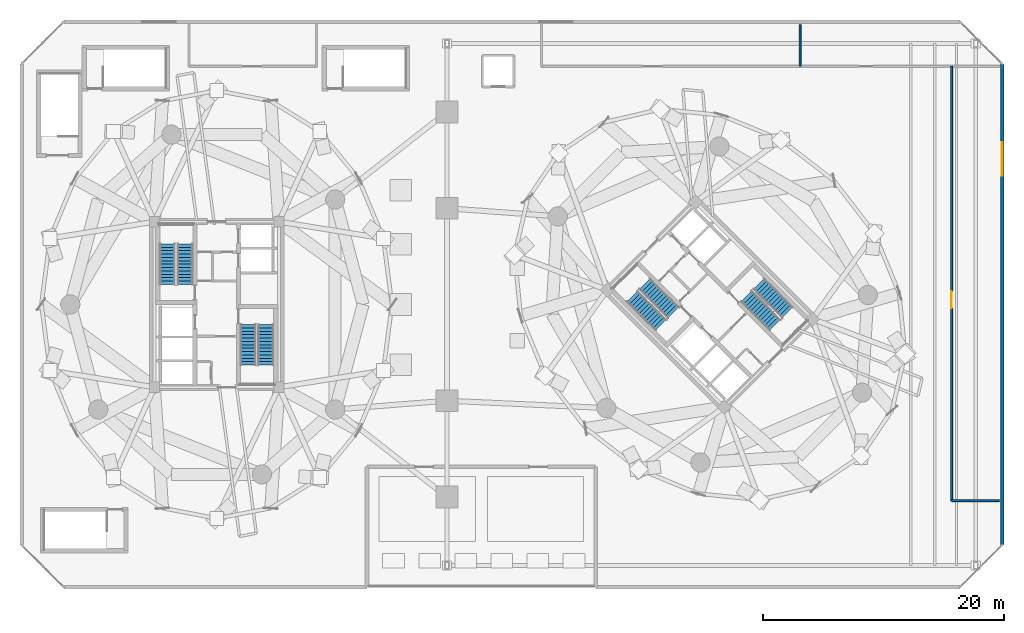
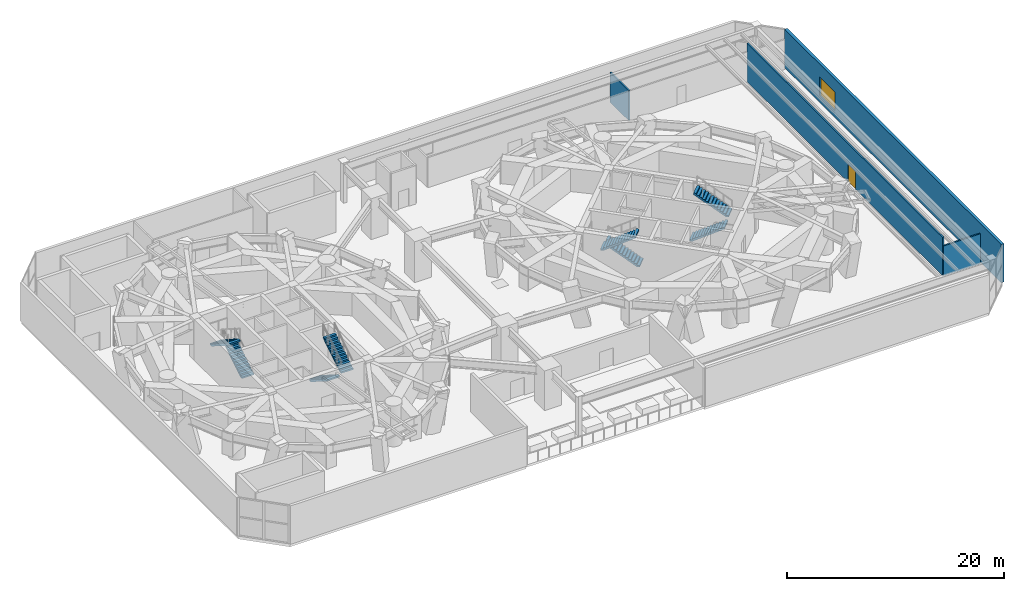
# One storey, part 20 of 25: 8 stair flights, 4 walls, 1 door, 1 window, 2 openings, 4 elements without a shape of their own.
"""IFC4 building model written with IfcOpenShell, lengths in metres."""

from ifc_helpers import new_model, si_unit, direction, frame, frame_2d, origin, place, context, subcontext, project, spatial, polyline, rectangle, outline, extrude, source, transform, mapped, material, layer, layer_set, type_object, element, fill, aggregate, save


model = new_model("IFC4")

# Units and contexts
model_context = context("Model", 3, precision=1e-05, world=origin(), true_north=direction((0.0, 1.0)))
body_context = subcontext(model_context, "Body", "Model", "MODEL_VIEW")
ifc_project = project(units=[si_unit("LENGTHUNIT", "METRE"), si_unit("AREAUNIT", "SQUARE_METRE"), si_unit("VOLUMEUNIT", "CUBIC_METRE"), si_unit("PLANEANGLEUNIT", "RADIAN"), si_unit("MASSUNIT", "GRAM", prefix="KILO")], contexts=[model_context])

# Site, building, storey
site_placement = place(None, origin())
site = spatial("IfcSite", under=ifc_project, at=site_placement, CompositionType="ELEMENT")
building_placement = place(site_placement, origin())
building = spatial("IfcBuilding", under=site, at=building_placement, Name="Cununo Teusaquillo Station Towers", CompositionType="ELEMENT")
storey_placement = place(building_placement, frame((0.0, 0.0, 17.39990234375)))
storey = spatial("IfcBuildingStorey", under=building, at=storey_placement, Name="L04", CompositionType="ELEMENT", Elevation=17.39990234375)

# Wall, opening, window
ifc_material_1 = material(Name="Precast concrete C40/50", Category="concrete")
ifc_layer_1 = layer(ifc_material_1, 0.300048828125)
ifc_layer_set_1 = layer_set([ifc_layer_1], Name="Precast concrete C40/50")
wall_type_1 = type_object("IfcWallType", Name="WL-EXT-300", PredefinedType="SOLIDWALL", material=ifc_layer_set_1)
wall_1_placement = place(storey_placement, frame((81.800048828125, 44.5, 0.0), z_axis=(0.0, 0.0, 1.0), x_axis=(0.0, -1.0, 0.0)))
wall_1 = element("IfcWall", 1, at=wall_1_placement, inside=storey, type_object=wall_type_1, Name="L04 Station Podium Facade Wall 5", PredefinedType="SOLIDWALL", context=body_context, shape_type="SweptSolid", body=[
    extrude(rectangle(XDim=40.0, YDim=0.300048828125, at=frame_2d((20.0, 0.0))), origin(), (0.0, 0.0, 1.0), 4.3251953125),
])
shared_shape_1 = source(origin(), body_context, "Body", "SweptSolid", [
    extrude(rectangle(XDim=2.800048828125, YDim=2.10009765625, at=frame_2d((1.39990234375, 1.050048828125))), frame((0.0, 0.159912109375, 0.0), z_axis=(0.0, -1.0, 0.0), x_axis=(1.0, 0.0, 0.0)), (0.0, 0.0, 1.0), 0.320068359375),
])
opening_1_placement = place(wall_1_placement, frame((6.5, 0.0, 0.800048828125)))
opening_1 = element("IfcOpeningElement", 2, at=opening_1_placement, cuts=wall_1, Name="Opening WN-05", PredefinedType="OPENING", context=body_context, shape_type="MappedRepresentation", body=[
    mapped(shared_shape_1, transform((0.0, 0.0, 0.0), x_axis=(1.0, 0.0, 0.0), y_axis=(0.0, 1.0, 0.0), z_axis=(0.0, 0.0, 1.0), scale=1.0)),
])
ifc_material_2 = material(Name="Laminated acoustic clear low-E glazing", Category="glass")
window_type = type_object("IfcWindowType", Name="WIN-POD-2800", PartitioningType="TRIPLE_PANEL_VERTICAL", PredefinedType="WINDOW", material=ifc_material_2)
shared_shape_2 = source(origin(), body_context, "Body", "SweptSolid", [
    extrude(rectangle(XDim=2.800048828125, YDim=2.10009765625, at=frame_2d((1.39990234375, 1.050048828125))), frame((0.0, 0.030029296875, 0.0), z_axis=(0.0, -1.0, 0.0), x_axis=(1.0, 0.0, 0.0)), (0.0, 0.0, 1.0), 0.06005859375),
])
window_placement = place(opening_1_placement, origin())
window = element("IfcWindow", 3, at=window_placement, inside=storey, type_object=window_type, Name="L04 Podium Ribbon Window 5.1", OverallHeight=2.10009765625, OverallWidth=2.800048828125, PartitioningType="TRIPLE_PANEL_VERTICAL", PredefinedType="WINDOW", context=body_context, shape_type="MappedRepresentation", body=[
    mapped(shared_shape_2, transform((0.0, 0.0, 0.0), x_axis=(1.0, 0.0, 0.0), y_axis=(0.0, 1.0, 0.0), z_axis=(0.0, 0.0, 1.0), scale=1.0)),
])
fill(opening_1, window)

# Wall, opening, door
ifc_material_3 = material(Name="Fire-rated gypsum plasterboard partition assembly", Category="gypsum")
ifc_layer_2 = layer(ifc_material_3, 0.159912109375)
ifc_layer_set_2 = layer_set([ifc_layer_2], Name="Fire-rated gypsum plasterboard partition assembly")
wall_type_2 = type_object("IfcWallType", Name="WL-PART-160", PredefinedType="PARTITIONING", material=ifc_layer_set_2)
wall_2_placement = place(storey_placement, frame((77.60009765625, 8.199951171875, 0.0), z_axis=(0.0, 0.0, 1.0), x_axis=(0.0, 1.0, 0.0)))
wall_2 = element("IfcWall", 4, at=wall_2_placement, inside=storey, type_object=wall_type_2, Name="L04 Transfer Mechanical AHU Hall West Wall", PredefinedType="PARTITIONING", context=body_context, shape_type="SweptSolid", body=[
    extrude(rectangle(XDim=36.10009765625, YDim=0.159912109375, at=frame_2d((18.050048828125, 0.0))), origin(), (0.0, 0.0, 1.0), 4.3251953125),
])
shared_shape_3 = source(origin(), body_context, "Body", "SweptSolid", [
    extrude(rectangle(XDim=1.39990234375, YDim=2.02001953125, at=frame_2d((0.699951171875, 1.010009765625))), frame((0.0, 0.08984375, 0.0), z_axis=(0.0, -1.0, 0.0), x_axis=(1.0, 0.0, 0.0)), (0.0, 0.0, 1.0), 0.179931640625),
])
opening_2_placement = place(wall_2_placement, frame((16.0, 0.0, 0.0)))
opening_2 = element("IfcOpeningElement", 5, at=opening_2_placement, cuts=wall_2, Name="Opening D-PL1", PredefinedType="OPENING", context=body_context, shape_type="MappedRepresentation", body=[
    mapped(shared_shape_3, transform((0.0, 0.0, 0.0), x_axis=(1.0, 0.0, 0.0), y_axis=(0.0, 1.0, 0.0), z_axis=(0.0, 0.0, 1.0), scale=1.0)),
])
ifc_material_4 = material(Name="Galvanised fire-rated hollow steel door assembly", Category="steel")
door_type = type_object("IfcDoorType", Name="DR-PLANT-1400", OperationType="NOTDEFINED", PredefinedType="DOOR", material=ifc_material_4)
shared_shape_4 = source(origin(), body_context, "Body", "SweptSolid", [
    extrude(rectangle(XDim=1.39990234375, YDim=2.02001953125, at=frame_2d((0.699951171875, 1.010009765625))), frame((0.0, 0.02490234375, 0.0), z_axis=(0.0, -1.0, 0.0), x_axis=(1.0, 0.0, 0.0)), (0.0, 0.0, 1.0), 0.050048828125),
])
door_placement = place(opening_2_placement, origin())
door = element("IfcDoor", 6, at=door_placement, inside=storey, type_object=door_type, Name="L04 Transfer Mechanical AHU Hall Door", OperationType="SINGLE_SWING_RIGHT", OverallHeight=2.02001953125, OverallWidth=1.39990234375, PredefinedType="DOOR", context=body_context, shape_type="MappedRepresentation", body=[
    mapped(shared_shape_4, transform((0.0, 0.0, 0.0), x_axis=(1.0, 0.0, 0.0), y_axis=(0.0, 1.0, 0.0), z_axis=(0.0, 0.0, 1.0), scale=1.0)),
])
fill(opening_2, door)

# Walls
wall_3_placement = place(storey_placement, frame((77.60009765625, 8.199951171875, 0.0), z_axis=(0.0, 0.0, 1.0), x_axis=(1.0, 0.0, 0.0)))
element("IfcWall", 7, at=wall_3_placement, inside=storey, type_object=wall_type_2, Name="L04 Transfer Mechanical AHU Hall South Wall", PredefinedType="PARTITIONING", context=body_context, shape_type="SweptSolid", body=[
    extrude(rectangle(XDim=3.949951171875, YDim=0.159912109375, at=frame_2d((1.97509765625, 0.0))), origin(), (0.0, 0.0, 1.0), 3.369140625),
])
wall_4_placement = place(storey_placement, frame((65.0, 44.300048828125, 0.0), z_axis=(0.0, 0.0, 1.0), x_axis=(0.0, 1.0, 0.0)))
element("IfcWall", 8, at=wall_4_placement, inside=storey, type_object=wall_type_2, Name="L04 Public Restroom Divider Wall", PredefinedType="PARTITIONING", context=body_context, shape_type="SweptSolid", body=[
    extrude(rectangle(XDim=3.449951171875, YDim=0.159912109375, at=frame_2d((1.72509765625, 0.0))), origin(), (0.0, 0.0, 1.0), 3.369140625),
])

# Stair, stair flights
ifc_material_5 = material(Name="Concrete C50/60", Category="concrete")
stair_type = type_object("IfcStairType", Name="ST-TWR-1300", PredefinedType="HALF_TURN_STAIR", material=ifc_material_5)
stair_1_placement = place(storey_placement, origin())
stair_1 = element("IfcStair", 9, at=stair_1_placement, inside=storey, type_object=stair_type, Name="L04 Tower A Protected Core Exit Stair 1", PredefinedType="HALF_TURN_STAIR")
ifc_material_6 = material(Name="Concrete C50/60", Category="concrete")
stair_flight_type = type_object("IfcStairFlightType", Name="SFL-TWR-1300", PredefinedType="STRAIGHT", material=ifc_material_6)
stair_flight_1_placement = place(storey_placement, frame((13.8701171875, 26.169921875, 0.0), z_axis=(0.0, 0.0, 1.0), x_axis=(0.0, 1.0, 0.0)))
stair_flight_1 = element("IfcStairFlight", 10, at=stair_flight_1_placement, type_object=stair_flight_type, Name="ST-T1-1 flight 1", NumberOfRisers=13, NumberOfTreads=12, PredefinedType="STRAIGHT", RiserHeight=0.176923077, TreadLength=0.28, context=body_context, shape_type="SweptSolid", body=[
    extrude(outline(polyline([(0.0, 0.0), (0.0, 0.177001953125), (0.280029296875, 0.177001953125), (0.280029296875, 0.353759765625), (0.56005859375, 0.353759765625), (0.56005859375, 0.53076171875), (0.840087890625, 0.53076171875), (0.840087890625, 0.707763671875), (1.1201171875, 0.707763671875), (1.1201171875, 0.884521484375), (1.39990234375, 0.884521484375), (1.39990234375, 1.0615234375), (1.679931640625, 1.0615234375), (1.679931640625, 1.238525390625), (1.9599609375, 1.238525390625), (1.9599609375, 1.415283203125), (2.239990234375, 1.415283203125), (2.239990234375, 1.59228515625), (2.52001953125, 1.59228515625), (2.52001953125, 1.769287109375), (2.800048828125, 1.769287109375), (2.800048828125, 1.946044921875), (3.080078125, 1.946044921875), (3.080078125, 2.123046875), (3.360107421875, 2.123046875), (3.360107421875, 2.300048828125), (3.360107421875, 1.94580078125), (0.280517578125, 0.0), (0.0, 0.0)])), frame((0.0, 0.64990234375, 0.0), z_axis=(0.0, -1.0, 0.0), x_axis=(1.0, 0.0, 0.0)), (0.0, 0.0, 1.0), 1.300048828125),
])
stair_flight_2_placement = place(storey_placement, frame((12.409912109375, 29.530029296875, 2.300048828125), z_axis=(0.0, 0.0, 1.0), x_axis=(0.0, -1.0, 0.0)))
stair_flight_2 = element("IfcStairFlight", 11, at=stair_flight_2_placement, type_object=stair_flight_type, Name="ST-T1-1 flight 2", NumberOfRisers=13, NumberOfTreads=12, PredefinedType="STRAIGHT", RiserHeight=0.176923077, TreadLength=0.28, context=body_context, shape_type="SweptSolid", body=[
    extrude(outline(polyline([(0.0, 0.0), (0.0, 0.177001953125), (0.280029296875, 0.177001953125), (0.280029296875, 0.353759765625), (0.56005859375, 0.353759765625), (0.56005859375, 0.53076171875), (0.840087890625, 0.53076171875), (0.840087890625, 0.707763671875), (1.1201171875, 0.707763671875), (1.1201171875, 0.884521484375), (1.39990234375, 0.884521484375), (1.39990234375, 1.0615234375), (1.679931640625, 1.0615234375), (1.679931640625, 1.238525390625), (1.9599609375, 1.238525390625), (1.9599609375, 1.415283203125), (2.239990234375, 1.415283203125), (2.239990234375, 1.59228515625), (2.52001953125, 1.59228515625), (2.52001953125, 1.769287109375), (2.800048828125, 1.769287109375), (2.800048828125, 1.946044921875), (3.080078125, 1.946044921875), (3.080078125, 2.123046875), (3.360107421875, 2.123046875), (3.360107421875, 2.300048828125), (3.360107421875, 1.94580078125), (0.280517578125, 0.0), (0.0, 0.0)])), frame((0.0, 0.64990234375, 0.0), z_axis=(0.0, -1.0, 0.0), x_axis=(1.0, 0.0, 0.0)), (0.0, 0.0, 1.0), 1.300048828125),
])
aggregate(stair_1, [stair_flight_1, stair_flight_2])

stair_2_placement = place(storey_placement, origin())
stair_2 = element("IfcStair", 12, at=stair_2_placement, inside=storey, type_object=stair_type, Name="L04 Tower A Protected Core Exit Stair 2", PredefinedType="HALF_TURN_STAIR")
stair_flight_3_placement = place(storey_placement, frame((19.1298828125, 22.830078125, 0.0), z_axis=(0.0, 0.0, 1.0), x_axis=(0.0, -1.0, 0.0)))
stair_flight_3 = element("IfcStairFlight", 13, at=stair_flight_3_placement, type_object=stair_flight_type, Name="ST-T1-2 flight 1", NumberOfRisers=13, NumberOfTreads=12, PredefinedType="STRAIGHT", RiserHeight=0.176923077, TreadLength=0.28, context=body_context, shape_type="SweptSolid", body=[
    extrude(outline(polyline([(0.0, 0.0), (0.0, 0.177001953125), (0.280029296875, 0.177001953125), (0.280029296875, 0.353759765625), (0.56005859375, 0.353759765625), (0.56005859375, 0.53076171875), (0.840087890625, 0.53076171875), (0.840087890625, 0.707763671875), (1.1201171875, 0.707763671875), (1.1201171875, 0.884521484375), (1.39990234375, 0.884521484375), (1.39990234375, 1.0615234375), (1.679931640625, 1.0615234375), (1.679931640625, 1.238525390625), (1.9599609375, 1.238525390625), (1.9599609375, 1.415283203125), (2.239990234375, 1.415283203125), (2.239990234375, 1.59228515625), (2.52001953125, 1.59228515625), (2.52001953125, 1.769287109375), (2.800048828125, 1.769287109375), (2.800048828125, 1.946044921875), (3.080078125, 1.946044921875), (3.080078125, 2.123046875), (3.360107421875, 2.123046875), (3.360107421875, 2.300048828125), (3.360107421875, 1.94580078125), (0.280517578125, 0.0), (0.0, 0.0)])), frame((0.0, 0.64990234375, 0.0), z_axis=(0.0, -1.0, 0.0), x_axis=(1.0, 0.0, 0.0)), (0.0, 0.0, 1.0), 1.300048828125),
])
stair_flight_4_placement = place(storey_placement, frame((20.590087890625, 19.469970703125, 2.300048828125), z_axis=(0.0, 0.0, 1.0), x_axis=(0.0, 1.0, 0.0)))
stair_flight_4 = element("IfcStairFlight", 14, at=stair_flight_4_placement, type_object=stair_flight_type, Name="ST-T1-2 flight 2", NumberOfRisers=13, NumberOfTreads=12, PredefinedType="STRAIGHT", RiserHeight=0.176923077, TreadLength=0.28, context=body_context, shape_type="SweptSolid", body=[
    extrude(outline(polyline([(0.0, 0.0), (0.0, 0.177001953125), (0.280029296875, 0.177001953125), (0.280029296875, 0.353759765625), (0.56005859375, 0.353759765625), (0.56005859375, 0.53076171875), (0.840087890625, 0.53076171875), (0.840087890625, 0.707763671875), (1.1201171875, 0.707763671875), (1.1201171875, 0.884521484375), (1.39990234375, 0.884521484375), (1.39990234375, 1.0615234375), (1.679931640625, 1.0615234375), (1.679931640625, 1.238525390625), (1.9599609375, 1.238525390625), (1.9599609375, 1.415283203125), (2.239990234375, 1.415283203125), (2.239990234375, 1.59228515625), (2.52001953125, 1.59228515625), (2.52001953125, 1.769287109375), (2.800048828125, 1.769287109375), (2.800048828125, 1.946044921875), (3.080078125, 1.946044921875), (3.080078125, 2.123046875), (3.360107421875, 2.123046875), (3.360107421875, 2.300048828125), (3.360107421875, 1.94580078125), (0.280517578125, 0.0), (0.0, 0.0)])), frame((0.0, 0.64990234375, 0.0), z_axis=(0.0, -1.0, 0.0), x_axis=(1.0, 0.0, 0.0)), (0.0, 0.0, 1.0), 1.300048828125),
])
aggregate(stair_2, [stair_flight_3, stair_flight_4])

stair_3_placement = place(storey_placement, origin())
stair_3 = element("IfcStair", 15, at=stair_3_placement, inside=storey, type_object=stair_type, Name="L04 Tower B Protected Core Exit Stair 1", PredefinedType="HALF_TURN_STAIR")
stair_flight_5_placement = place(storey_placement, frame((54.45947265625, 23.8212890625, 0.0), z_axis=(0.0, 0.0, 1.0), x_axis=(-0.707106781187, 0.707106781187, 0.0)))
stair_flight_5 = element("IfcStairFlight", 16, at=stair_flight_5_placement, type_object=stair_flight_type, Name="ST-T2-1 flight 1", NumberOfRisers=13, NumberOfTreads=12, PredefinedType="STRAIGHT", RiserHeight=0.176923077, TreadLength=0.28, context=body_context, shape_type="SweptSolid", body=[
    extrude(outline(polyline([(0.0, 0.0), (0.0, 0.177001953125), (0.280029296875, 0.177001953125), (0.280029296875, 0.353759765625), (0.56005859375, 0.353759765625), (0.56005859375, 0.53076171875), (0.840087890625, 0.53076171875), (0.840087890625, 0.707763671875), (1.1201171875, 0.707763671875), (1.1201171875, 0.884521484375), (1.39990234375, 0.884521484375), (1.39990234375, 1.0615234375), (1.679931640625, 1.0615234375), (1.679931640625, 1.238525390625), (1.9599609375, 1.238525390625), (1.9599609375, 1.415283203125), (2.239990234375, 1.415283203125), (2.239990234375, 1.59228515625), (2.52001953125, 1.59228515625), (2.52001953125, 1.769287109375), (2.800048828125, 1.769287109375), (2.800048828125, 1.946044921875), (3.080078125, 1.946044921875), (3.080078125, 2.123046875), (3.360107421875, 2.123046875), (3.360107421875, 2.300048828125), (3.360107421875, 1.94580078125), (0.280517578125, 0.0), (0.0, 0.0)])), frame((0.0, 0.64990234375, 0.0), z_axis=(0.0, -1.0, 0.0), x_axis=(1.0, 0.0, 0.0)), (0.0, 0.0, 1.0), 1.300048828125),
])
stair_flight_6_placement = place(storey_placement, frame((51.05126953125, 25.164794921875, 2.300048828125), z_axis=(0.0, 0.0, 1.0), x_axis=(0.707106781187, -0.707106781187, 0.0)))
stair_flight_6 = element("IfcStairFlight", 17, at=stair_flight_6_placement, type_object=stair_flight_type, Name="ST-T2-1 flight 2", NumberOfRisers=13, NumberOfTreads=12, PredefinedType="STRAIGHT", RiserHeight=0.176923077, TreadLength=0.28, context=body_context, shape_type="SweptSolid", body=[
    extrude(outline(polyline([(0.0, 0.0), (0.0, 0.177001953125), (0.280029296875, 0.177001953125), (0.280029296875, 0.353759765625), (0.56005859375, 0.353759765625), (0.56005859375, 0.53076171875), (0.840087890625, 0.53076171875), (0.840087890625, 0.707763671875), (1.1201171875, 0.707763671875), (1.1201171875, 0.884521484375), (1.39990234375, 0.884521484375), (1.39990234375, 1.0615234375), (1.679931640625, 1.0615234375), (1.679931640625, 1.238525390625), (1.9599609375, 1.238525390625), (1.9599609375, 1.415283203125), (2.239990234375, 1.415283203125), (2.239990234375, 1.59228515625), (2.52001953125, 1.59228515625), (2.52001953125, 1.769287109375), (2.800048828125, 1.769287109375), (2.800048828125, 1.946044921875), (3.080078125, 1.946044921875), (3.080078125, 2.123046875), (3.360107421875, 2.123046875), (3.360107421875, 2.300048828125), (3.360107421875, 1.94580078125), (0.280517578125, 0.0), (0.0, 0.0)])), frame((0.0, 0.64990234375, 0.0), z_axis=(0.0, -1.0, 0.0), x_axis=(1.0, 0.0, 0.0)), (0.0, 0.0, 1.0), 1.300048828125),
])
aggregate(stair_3, [stair_flight_5, stair_flight_6])

stair_4_placement = place(storey_placement, origin())
stair_4 = element("IfcStair", 18, at=stair_4_placement, inside=storey, type_object=stair_type, Name="L04 Tower B Protected Core Exit Stair 2", PredefinedType="HALF_TURN_STAIR")
stair_flight_7_placement = place(storey_placement, frame((60.54052734375, 25.1787109375, 0.0), z_axis=(0.0, 0.0, 1.0), x_axis=(0.707106781187, -0.707106781187, 0.0)))
stair_flight_7 = element("IfcStairFlight", 19, at=stair_flight_7_placement, type_object=stair_flight_type, Name="ST-T2-2 flight 1", NumberOfRisers=13, NumberOfTreads=12, PredefinedType="STRAIGHT", RiserHeight=0.176923077, TreadLength=0.28, context=body_context, shape_type="SweptSolid", body=[
    extrude(outline(polyline([(0.0, 0.0), (0.0, 0.177001953125), (0.280029296875, 0.177001953125), (0.280029296875, 0.353759765625), (0.56005859375, 0.353759765625), (0.56005859375, 0.53076171875), (0.840087890625, 0.53076171875), (0.840087890625, 0.707763671875), (1.1201171875, 0.707763671875), (1.1201171875, 0.884521484375), (1.39990234375, 0.884521484375), (1.39990234375, 1.0615234375), (1.679931640625, 1.0615234375), (1.679931640625, 1.238525390625), (1.9599609375, 1.238525390625), (1.9599609375, 1.415283203125), (2.239990234375, 1.415283203125), (2.239990234375, 1.59228515625), (2.52001953125, 1.59228515625), (2.52001953125, 1.769287109375), (2.800048828125, 1.769287109375), (2.800048828125, 1.946044921875), (3.080078125, 1.946044921875), (3.080078125, 2.123046875), (3.360107421875, 2.123046875), (3.360107421875, 2.300048828125), (3.360107421875, 1.94580078125), (0.280517578125, 0.0), (0.0, 0.0)])), frame((0.0, 0.64990234375, 0.0), z_axis=(0.0, -1.0, 0.0), x_axis=(1.0, 0.0, 0.0)), (0.0, 0.0, 1.0), 1.300048828125),
])
stair_flight_8_placement = place(storey_placement, frame((63.94873046875, 23.835205078125, 2.300048828125), z_axis=(0.0, 0.0, 1.0), x_axis=(-0.707106781187, 0.707106781187, 0.0)))
stair_flight_8 = element("IfcStairFlight", 20, at=stair_flight_8_placement, type_object=stair_flight_type, Name="ST-T2-2 flight 2", NumberOfRisers=13, NumberOfTreads=12, PredefinedType="STRAIGHT", RiserHeight=0.176923077, TreadLength=0.28, context=body_context, shape_type="SweptSolid", body=[
    extrude(outline(polyline([(0.0, 0.0), (0.0, 0.177001953125), (0.280029296875, 0.177001953125), (0.280029296875, 0.353759765625), (0.56005859375, 0.353759765625), (0.56005859375, 0.53076171875), (0.840087890625, 0.53076171875), (0.840087890625, 0.707763671875), (1.1201171875, 0.707763671875), (1.1201171875, 0.884521484375), (1.39990234375, 0.884521484375), (1.39990234375, 1.0615234375), (1.679931640625, 1.0615234375), (1.679931640625, 1.238525390625), (1.9599609375, 1.238525390625), (1.9599609375, 1.415283203125), (2.239990234375, 1.415283203125), (2.239990234375, 1.59228515625), (2.52001953125, 1.59228515625), (2.52001953125, 1.769287109375), (2.800048828125, 1.769287109375), (2.800048828125, 1.946044921875), (3.080078125, 1.946044921875), (3.080078125, 2.123046875), (3.360107421875, 2.123046875), (3.360107421875, 2.300048828125), (3.360107421875, 1.94580078125), (0.280517578125, 0.0), (0.0, 0.0)])), frame((0.0, 0.64990234375, 0.0), z_axis=(0.0, -1.0, 0.0), x_axis=(1.0, 0.0, 0.0)), (0.0, 0.0, 1.0), 1.300048828125),
])
aggregate(stair_4, [stair_flight_7, stair_flight_8])

save(model, "model.ifc")
